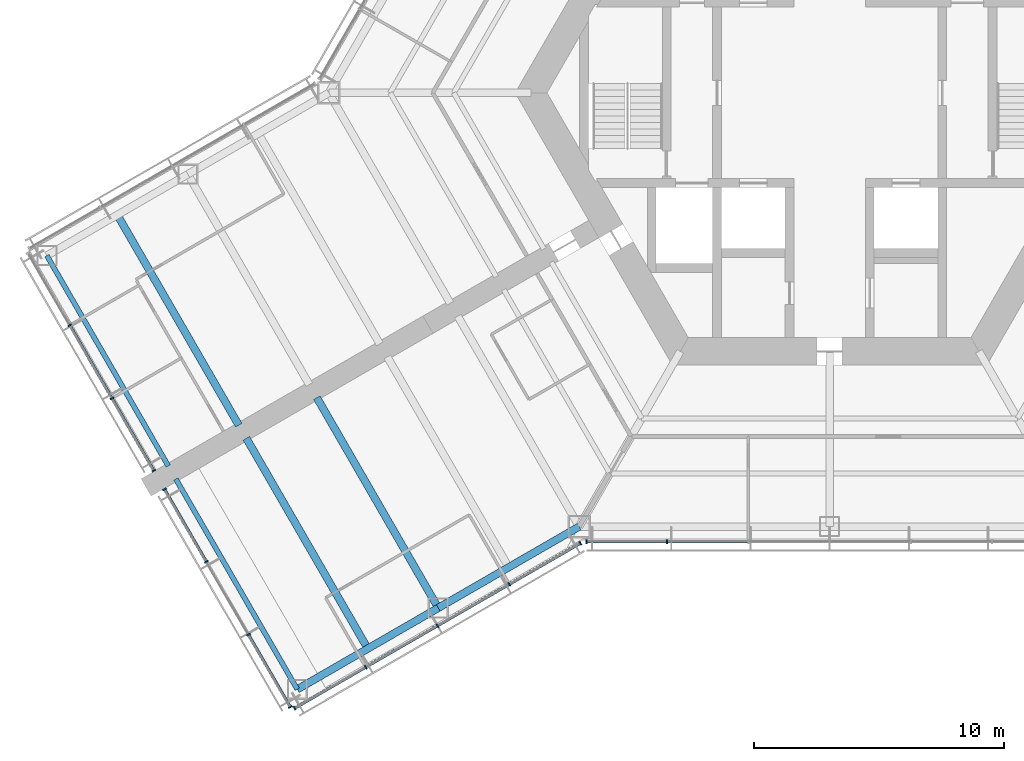
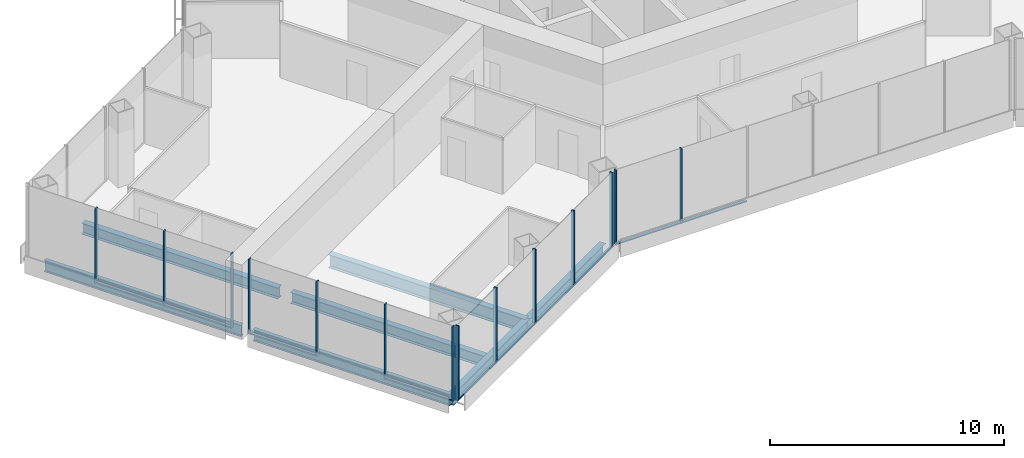
# One storey, part 2 of 19: 24 members, 7 beams, 4 elements without a shape of their own.
"""IFC4 building model written with IfcOpenShell, lengths in metres."""

import ifcopenshell
import ifcopenshell.guid

model = None  # the IFC model being written
_history = None  # IfcOwnerHistory: only IFC2X3 demands one
_inside = {}  # id of a spatial element -> (the spatial element, [elements in it])
_under = {}  # id of a project, library or spatial element -> (it, [spatial elements below it])
_declared = {}  # id of a project -> (the project, [libraries it declares])
_typed = {}  # id of a type object -> (the type object, [elements of that type])
_made_of = {}  # id of a material, layer set ... -> (it, [elements and type objects made of it])


def new_model(schema):
    """Start an empty IFC model of exactly this schema.

    Asked for "IFC4X3", IfcOpenShell would pick the latest addendum, in which some entities
    have other attributes; the version numbers below select the first issue.
    IFC2X3 requires an IfcOwnerHistory on every rooted entity: one is made here for all.
    """
    global model, _history
    if schema == "IFC4X3":
        model = ifcopenshell.file(schema_version=(4, 3, 0, 0))
    else:
        model = ifcopenshell.file(schema=schema)
    _inside.clear()
    _under.clear()
    _declared.clear()
    _typed.clear()
    _made_of.clear()
    _history = None
    if model.schema == "IFC2X3":
        org = make("IfcOrganization", Name="unknown")
        user = make(
            "IfcPersonAndOrganization",
            ThePerson=make("IfcPerson", FamilyName="unknown"),
            TheOrganization=org,
        )
        app = make(
            "IfcApplication",
            ApplicationDeveloper=org,
            Version="unknown",
            ApplicationFullName="unknown",
            ApplicationIdentifier="unknown",
        )
        _history = make(
            "IfcOwnerHistory",
            OwningUser=user,
            OwningApplication=app,
            ChangeAction="ADDED",
            CreationDate=0,
        )
    return model


def make(cls, **values):
    """One entity of the class cls with the attributes given. An attribute that is None is left unset."""
    return model.create_entity(
        cls, **{name: value for name, value in values.items() if value is not None}
    )


def rooted(cls, **values):
    """An entity with a GlobalId (a new one), such as an element, a storey or a relation."""
    return make(cls, GlobalId=ifcopenshell.guid.new(), OwnerHistory=_history, **values)


def si_unit(unit_type, name, prefix=None):
    """IfcSIUnit, for example si_unit("LENGTHUNIT", "METRE", prefix="MILLI")."""
    return make("IfcSIUnit", UnitType=unit_type, Prefix=prefix, Name=name)


def assignment(units):
    """IfcUnitAssignment: the units of a project."""
    return None if units is None else make("IfcUnitAssignment", Units=units)


def point(xyz):
    """IfcCartesianPoint."""
    return None if xyz is None else make("IfcCartesianPoint", Coordinates=xyz)


def direction(xyz):
    """IfcDirection."""
    return None if xyz is None else make("IfcDirection", DirectionRatios=xyz)


def frame(location, z_axis=None, x_axis=None):
    """IfcAxis2Placement3D, a coordinate frame: its origin and axes. An axis left out is left unset."""
    return make(
        "IfcAxis2Placement3D",
        Location=point(location),
        Axis=direction(z_axis),
        RefDirection=direction(x_axis),
    )


def frame_2d(location, x_axis=None):
    """IfcAxis2Placement2D, a coordinate frame in the plane: its origin and x axis."""
    return make(
        "IfcAxis2Placement2D", Location=point(location), RefDirection=direction(x_axis)
    )


def origin():
    """The frame at (0, 0, 0) with its axes left unset."""
    return frame((0.0, 0.0, 0.0))


def origin_2d():
    """The frame at (0, 0) in the plane with its x axis left unset."""
    return frame_2d((0.0, 0.0))


def place(relative_to, where):
    """IfcLocalPlacement: puts the frame where relative to a parent placement (None: the world)."""
    return make(
        "IfcLocalPlacement", PlacementRelTo=relative_to, RelativePlacement=where
    )


def context(
    kind, dimensions, precision=None, world=None, true_north=None, identifier=None
):
    """IfcGeometricRepresentationContext, for example the 3D "Model" context."""
    return make(
        "IfcGeometricRepresentationContext",
        ContextIdentifier=identifier,
        ContextType=kind,
        CoordinateSpaceDimension=dimensions,
        Precision=precision,
        WorldCoordinateSystem=world,
        TrueNorth=true_north,
    )


def subcontext(parent, identifier, kind, view, scale=None):
    """IfcGeometricRepresentationSubContext, for example "Body" below "Model"."""
    return make(
        "IfcGeometricRepresentationSubContext",
        ContextIdentifier=identifier,
        ContextType=kind,
        ParentContext=parent,
        TargetScale=scale,
        TargetView=view,
    )


def project(units=None, contexts=None):
    """IfcProject with its units and contexts."""
    return rooted(
        "IfcProject",
        Name="project",
        RepresentationContexts=contexts,
        UnitsInContext=assignment(units),
    )


def spatial(cls, under=None, at=None, **own):
    """A site, building, storey or space (cls), placed at a placement, below another one or the project."""
    s = rooted(cls, ObjectPlacement=at, **own)
    if under is not None:
        _under.setdefault(under.id(), (under, []))[1].append(s)
    return s


def profile(cls, at=None, kind="AREA", **sizes):
    """A parametric profile (cls). Its sizes go by their IFC names, for example OverallWidth=200.0."""
    return make(cls, ProfileType=kind, Position=at, **sizes)


def rectangle(**sizes):
    """IfcRectangleProfileDef."""
    return profile("IfcRectangleProfileDef", **sizes)


def i_section(**sizes):
    """IfcIShapeProfileDef."""
    return profile("IfcIShapeProfileDef", **sizes)


def extrude(swept, where, along, depth):
    """IfcExtrudedAreaSolid: the profile swept, set in the frame where, extruded along a direction by depth."""
    return make(
        "IfcExtrudedAreaSolid",
        SweptArea=swept,
        Position=where,
        ExtrudedDirection=direction(along),
        Depth=depth,
    )


def shape(context_of_items, identifier, shape_type, items):
    """IfcShapeRepresentation: the items that make up one representation, for example the "Body"."""
    return make(
        "IfcShapeRepresentation",
        ContextOfItems=context_of_items,
        RepresentationIdentifier=identifier,
        RepresentationType=shape_type,
        Items=items,
    )


def material(Name=None, Category=None):
    """IfcMaterial."""
    return make("IfcMaterial", Name=Name, Category=Category)


def material_profile(
    of_material, cross_section, Name=None, Category=None, Priority=None
):
    """IfcMaterialProfile: a cross section and its material."""
    return make(
        "IfcMaterialProfile",
        Name=Name,
        Material=of_material,
        Profile=cross_section,
        Priority=Priority,
        Category=Category,
    )


def profile_set(profiles, Name=None, composite=None):
    """IfcMaterialProfileSet."""
    return make(
        "IfcMaterialProfileSet",
        Name=Name,
        MaterialProfiles=profiles,
        CompositeProfile=composite,
    )


def made_of(thing, what):
    """Note that an element or type object is made of a material, layer set ...; save() writes the relation."""
    if what is not None:
        _made_of.setdefault(what.id(), (what, []))[1].append(thing)
    return thing


def type_object(cls, material=None, **own):
    """A type object (cls), such as IfcWallType, which elements share."""
    return made_of(rooted(cls, **own), material)


def element(
    cls,
    number,
    at=None,
    inside=None,
    cuts=None,
    type_object=None,
    material=None,
    context=None,
    identifier="Body",
    shape_type=None,
    held_by="IfcProductDefinitionShape",
    body=None,
    shapes=None,
    **own,
):
    """One element of the class cls, such as IfcWall. Its Tag is "e" and its number.

    at: its placement. inside: the storey or other place that contains it. cuts: it is an
    opening in that element (IfcRelVoidsElement). A single representation is given by context,
    identifier, shape_type and body (its items); several are given by shapes. held_by: the class
    of the entity that holds the representations. save() writes the other relations.
    """
    e = rooted(cls, Tag="e%d" % number, ObjectPlacement=at, **own)
    if body is not None:
        shapes = [shape(context, identifier, shape_type, body)]
    if shapes is not None:
        e.Representation = make(held_by, Representations=shapes)
    if inside is not None:
        _inside.setdefault(inside.id(), (inside, []))[1].append(e)
    if cuts is not None:
        rooted(
            "IfcRelVoidsElement", RelatingBuildingElement=cuts, RelatedOpeningElement=e
        )
    if type_object is not None:
        _typed.setdefault(type_object.id(), (type_object, []))[1].append(e)
    return made_of(e, material)


def aggregate(whole, parts):
    """IfcRelAggregates: a whole, such as a stair, and the parts it consists of."""
    return rooted("IfcRelAggregates", RelatingObject=whole, RelatedObjects=parts)


def save(model, path):
    """Write the relations noted so far, then the file.

    IfcRelAggregates (storeys below a building ...), IfcRelContainedInSpatialStructure (elements
    in a storey), IfcRelDefinesByType, IfcRelAssociatesMaterial and IfcRelDeclares: one each for
    every whole, place, type object, material and project.
    """
    for whole, parts in _under.values():
        aggregate(whole, parts)
    for where, things in _inside.values():
        rooted(
            "IfcRelContainedInSpatialStructure",
            RelatedElements=things,
            RelatingStructure=where,
        )
    for kind, things in _typed.values():
        rooted("IfcRelDefinesByType", RelatedObjects=things, RelatingType=kind)
    for what, things in _made_of.values():
        rooted("IfcRelAssociatesMaterial", RelatedObjects=things, RelatingMaterial=what)
    for by, libraries in _declared.values():
        rooted("IfcRelDeclares", RelatingContext=by, RelatedDefinitions=libraries)
    model.write(path)


model = new_model("IFC4")

# Units and contexts
model_context = context("Model", 3, precision=1e-05, world=origin(), true_north=direction((0.0, 1.0)))
body_context = subcontext(model_context, "Body", "Model", "MODEL_VIEW")
ifc_project = project(units=[si_unit("LENGTHUNIT", "METRE"), si_unit("AREAUNIT", "SQUARE_METRE"), si_unit("VOLUMEUNIT", "CUBIC_METRE"), si_unit("PLANEANGLEUNIT", "RADIAN"), si_unit("MASSUNIT", "GRAM", prefix="KILO")], contexts=[model_context])

# Site, building, storey
site_placement = place(None, origin())
site = spatial("IfcSite", under=ifc_project, at=site_placement, CompositionType="ELEMENT")
building_placement = place(site_placement, origin())
building = spatial("IfcBuilding", under=site, at=building_placement, Name="Kasaneha Research Tower", CompositionType="ELEMENT")
storey_placement = place(building_placement, frame((0.0, 0.0, 96.300048828125)))
storey = spatial("IfcBuildingStorey", under=building, at=storey_placement, Name="L24", CompositionType="ELEMENT", Elevation=96.300048828125)

# Beams
ifc_material_1 = material(Name="Steel SN490B", Category="steel")
ifc_material_profile_1 = material_profile(ifc_material_1, i_section(OverallWidth=0.300048828125, OverallDepth=0.58203125, WebThickness=0.011962890625, FlangeThickness=0.01708984375, FilletRadius=0.012939453125, at=origin_2d()), Name="H-582x300x12x17")
ifc_profile_set_1 = profile_set([ifc_material_profile_1], Name="Steel SN490B")
beam_type_1 = type_object("IfcBeamType", Name="B2-3 secondary beam H-582x300x12x17", PredefinedType="JOIST", material=ifc_profile_set_1)
for number, where, z_axis, x_axis, name in (
    (1, (-28.44384765625, -4.875, -0.441162109375), (0.500010041276, -0.866019606374, 0.0), (0.866019606374, 0.500010041276, 0.0), "Secondary beam WBBP2 L24"),
    (2, (-18.44384765625, -22.195556640625, -0.441162109375), (-0.499991164321, 0.866030505006, 0.0), (-0.866030505006, -0.499991164321, 0.0), "Secondary beam WBBN2 L24"),
):
    element("IfcBeam", number, at=place(storey_placement, frame(where, z_axis=z_axis, x_axis=x_axis)), inside=storey, type_object=beam_type_1, Name=name, PredefinedType="JOIST", context=body_context, shape_type="SweptSolid", body=[
        extrude(i_section(OverallWidth=0.300048828125, OverallDepth=0.58203125, WebThickness=0.011962890625, FlangeThickness=0.01708984375, FilletRadius=0.012939453125, at=origin_2d()), origin(), (0.0, 0.0, 1.0), 9.699951171875),
    ])

# Curtain wall, members
ifc_material_2 = material(Name="Glass and aluminium", Category="aluminium")
curtain_wall_type = type_object("IfcCurtainWallType", Name="Low-rise office curtain wall", PredefinedType="USERDEFINED", material=ifc_material_2)
curtain_wall_1_placement = place(storey_placement, origin())
curtain_wall_1 = element("IfcCurtainWall", 3, at=curtain_wall_1_placement, inside=storey, type_object=curtain_wall_type, Name="CW-O1 L24 run 01a", ObjectType="UNITISED CURTAIN WALL", PredefinedType="USERDEFINED")
ifc_material_3 = material(Name="Aluminium 6063-T6", Category="aluminium")
ifc_material_profile_2 = material_profile(ifc_material_3, rectangle(XDim=0.06005859375, YDim=0.159912109375, at=origin_2d()), Name="CW-O1 mullion 60x160")
ifc_profile_set_2 = profile_set([ifc_material_profile_2], Name="Aluminium 6063-T6")
member_type_1 = type_object("IfcMemberType", Name="CW-O1 mullion", PredefinedType="MULLION", material=ifc_profile_set_2)
member_1_placement = place(storey_placement, frame((-21.365478515625, -24.5751953125, 0.0), z_axis=(0.0, 0.0, 1.0), x_axis=(0.866025411464, 0.499999986699, 0.0)))
member_1 = element("IfcMember", 4, at=member_1_placement, type_object=member_type_1, Name="CW-O1 mullion 1", PredefinedType="MULLION", context=body_context, shape_type="SweptSolid", body=[
    extrude(rectangle(XDim=0.06005859375, YDim=0.159912109375, at=origin_2d()), origin(), (0.0, 0.0, 1.0), 3.89990234375),
])
member_2_placement = place(storey_placement, frame((-18.52490234375, -22.935302734375, 0.0), z_axis=(0.0, 0.0, 1.0), x_axis=(0.866025411464, 0.499999986699, 0.0)))
member_2 = element("IfcMember", 5, at=member_2_placement, type_object=member_type_1, Name="CW-O1 mullion 2", PredefinedType="MULLION", context=body_context, shape_type="SweptSolid", body=[
    extrude(rectangle(XDim=0.06005859375, YDim=0.159912109375, at=origin_2d()), origin(), (0.0, 0.0, 1.0), 3.89990234375),
])
member_3_placement = place(storey_placement, frame((-15.65869140625, -21.2802734375, 0.0), z_axis=(0.0, 0.0, 1.0), x_axis=(0.866025411464, 0.499999986699, 0.0)))
member_3 = element("IfcMember", 6, at=member_3_placement, type_object=member_type_1, Name="CW-O1 mullion 3", PredefinedType="MULLION", context=body_context, shape_type="SweptSolid", body=[
    extrude(rectangle(XDim=0.06005859375, YDim=0.159912109375, at=origin_2d()), origin(), (0.0, 0.0, 1.0), 3.89990234375),
])
member_4_placement = place(storey_placement, frame((-12.792236328125, -19.62548828125, 0.0), z_axis=(0.0, 0.0, 1.0), x_axis=(0.866025411464, 0.499999986699, 0.0)))
member_4 = element("IfcMember", 7, at=member_4_placement, type_object=member_type_1, Name="CW-O1 mullion 4", PredefinedType="MULLION", context=body_context, shape_type="SweptSolid", body=[
    extrude(rectangle(XDim=0.06005859375, YDim=0.159912109375, at=origin_2d()), origin(), (0.0, 0.0, 1.0), 3.89990234375),
])
member_5_placement = place(storey_placement, frame((-9.951904296875, -17.985595703125, 0.0), z_axis=(0.0, 0.0, 1.0), x_axis=(0.866025411464, 0.499999986699, 0.0)))
member_5 = element("IfcMember", 8, at=member_5_placement, type_object=member_type_1, Name="CW-O1 mullion 5", PredefinedType="MULLION", context=body_context, shape_type="SweptSolid", body=[
    extrude(rectangle(XDim=0.06005859375, YDim=0.159912109375, at=origin_2d()), origin(), (0.0, 0.0, 1.0), 3.89990234375),
])

curtain_wall_2_placement = place(storey_placement, origin())
curtain_wall_2 = element("IfcCurtainWall", 9, at=curtain_wall_2_placement, inside=storey, type_object=curtain_wall_type, Name="CW-O1 L24 run 02a", ObjectType="UNITISED CURTAIN WALL", PredefinedType="USERDEFINED")
member_6_placement = place(storey_placement, frame((-9.709228515625, -17.92041015625, 0.0), z_axis=(0.0, 0.0, 1.0), x_axis=(1.0, 0.0, 0.0)))
member_6 = element("IfcMember", 10, at=member_6_placement, type_object=member_type_1, Name="CW-O1 mullion 1", PredefinedType="MULLION", context=body_context, shape_type="SweptSolid", body=[
    extrude(rectangle(XDim=0.06005859375, YDim=0.159912109375, at=origin_2d()), origin(), (0.0, 0.0, 1.0), 3.89990234375),
])
member_7_placement = place(storey_placement, frame((-6.492919921875, -17.92041015625, 0.0), z_axis=(0.0, 0.0, 1.0), x_axis=(1.0, 0.0, 0.0)))
member_7 = element("IfcMember", 11, at=member_7_placement, type_object=member_type_1, Name="CW-O1 mullion 2", PredefinedType="MULLION", context=body_context, shape_type="SweptSolid", body=[
    extrude(rectangle(XDim=0.06005859375, YDim=0.159912109375, at=origin_2d()), origin(), (0.0, 0.0, 1.0), 3.89990234375),
])

curtain_wall_3_placement = place(storey_placement, origin())
curtain_wall_3 = element("IfcCurtainWall", 12, at=curtain_wall_3_placement, inside=storey, type_object=curtain_wall_type, Name="CW-O1 L24 run 14a", ObjectType="UNITISED CURTAIN WALL", PredefinedType="USERDEFINED")
member_8_placement = place(storey_placement, frame((-30.3447265625, -9.28271484375, 0.0), z_axis=(0.0, 0.0, 1.0), x_axis=(0.500000011442, -0.866025397178, 0.0)))
member_8 = element("IfcMember", 13, at=member_8_placement, type_object=member_type_1, Name="CW-O1 mullion 2", PredefinedType="MULLION", context=body_context, shape_type="SweptSolid", body=[
    extrude(rectangle(XDim=0.06005859375, YDim=0.159912109375, at=origin_2d()), origin(), (0.0, 0.0, 1.0), 3.89990234375),
])
member_9_placement = place(storey_placement, frame((-28.661376953125, -12.1982421875, 0.0), z_axis=(0.0, 0.0, 1.0), x_axis=(0.500000011442, -0.866025397178, 0.0)))
member_9 = element("IfcMember", 14, at=member_9_placement, type_object=member_type_1, Name="CW-O1 mullion 3", PredefinedType="MULLION", context=body_context, shape_type="SweptSolid", body=[
    extrude(rectangle(XDim=0.06005859375, YDim=0.159912109375, at=origin_2d()), origin(), (0.0, 0.0, 1.0), 3.89990234375),
])
member_10_placement = place(storey_placement, frame((-26.992919921875, -15.087890625, 0.0), z_axis=(0.0, 0.0, 1.0), x_axis=(0.500000011442, -0.866025397178, 0.0)))
member_10 = element("IfcMember", 15, at=member_10_placement, type_object=member_type_1, Name="CW-O1 mullion 4", PredefinedType="MULLION", context=body_context, shape_type="SweptSolid", body=[
    extrude(rectangle(XDim=0.06005859375, YDim=0.159912109375, at=origin_2d()), origin(), (0.0, 0.0, 1.0), 3.89990234375),
])

curtain_wall_4_placement = place(storey_placement, origin())
curtain_wall_4 = element("IfcCurtainWall", 16, at=curtain_wall_4_placement, inside=storey, type_object=curtain_wall_type, Name="CW-O1 L24 run 15a", ObjectType="UNITISED CURTAIN WALL", PredefinedType="USERDEFINED")
member_11_placement = place(storey_placement, frame((-26.56298828125, -15.832763671875, 0.0), z_axis=(0.0, 0.0, 1.0), x_axis=(0.500000011442, -0.866025397178, 0.0)))
member_11 = element("IfcMember", 17, at=member_11_placement, type_object=member_type_1, Name="CW-O1 mullion 1", PredefinedType="MULLION", context=body_context, shape_type="SweptSolid", body=[
    extrude(rectangle(XDim=0.06005859375, YDim=0.159912109375, at=origin_2d()), origin(), (0.0, 0.0, 1.0), 3.89990234375),
])
member_12_placement = place(storey_placement, frame((-24.89453125, -18.72216796875, 0.0), z_axis=(0.0, 0.0, 1.0), x_axis=(0.500000011442, -0.866025397178, 0.0)))
member_12 = element("IfcMember", 18, at=member_12_placement, type_object=member_type_1, Name="CW-O1 mullion 2", PredefinedType="MULLION", context=body_context, shape_type="SweptSolid", body=[
    extrude(rectangle(XDim=0.06005859375, YDim=0.159912109375, at=origin_2d()), origin(), (0.0, 0.0, 1.0), 3.89990234375),
])
member_13_placement = place(storey_placement, frame((-23.211181640625, -21.637939453125, 0.0), z_axis=(0.0, 0.0, 1.0), x_axis=(0.500000011442, -0.866025397178, 0.0)))
member_13 = element("IfcMember", 19, at=member_13_placement, type_object=member_type_1, Name="CW-O1 mullion 3", PredefinedType="MULLION", context=body_context, shape_type="SweptSolid", body=[
    extrude(rectangle(XDim=0.06005859375, YDim=0.159912109375, at=origin_2d()), origin(), (0.0, 0.0, 1.0), 3.89990234375),
])
member_14_placement = place(storey_placement, frame((-21.54296875, -24.527587890625, 0.0), z_axis=(0.0, 0.0, 1.0), x_axis=(0.500000011442, -0.866025397178, 0.0)))
member_14 = element("IfcMember", 20, at=member_14_placement, type_object=member_type_1, Name="CW-O1 mullion 4", PredefinedType="MULLION", context=body_context, shape_type="SweptSolid", body=[
    extrude(rectangle(XDim=0.06005859375, YDim=0.159912109375, at=origin_2d()), origin(), (0.0, 0.0, 1.0), 3.89990234375),
])

# Member
ifc_material_4 = material(Name="Aluminium 6063-T6", Category="aluminium")
ifc_material_profile_3 = material_profile(ifc_material_4, rectangle(XDim=0.1201171875, YDim=0.06005859375, at=origin_2d()), Name="CW-O1 transom 120x60")
ifc_profile_set_3 = profile_set([ifc_material_profile_3], Name="Aluminium 6063-T6")
member_type_2 = type_object("IfcMemberType", Name="CW-O1 transom", PredefinedType="USERDEFINED", material=ifc_profile_set_3)
member_15_placement = place(storey_placement, frame((-21.33935546875, -24.56005859375, 0.030029296875), z_axis=(0.866022692473, 0.500004696101, 0.0), x_axis=(-0.500004696101, 0.866022692473, 0.0)))
member_15 = element("IfcMember", 21, at=member_15_placement, type_object=member_type_2, Name="CW-O1 transom 1", ObjectType="TRANSOM", PredefinedType="USERDEFINED", context=body_context, shape_type="SweptSolid", body=[
    extrude(rectangle(XDim=0.1201171875, YDim=0.06005859375, at=origin_2d()), origin(), (0.0, 0.0, 1.0), 3.2197265625),
])

member_16_placement = place(storey_placement, frame((-18.4990234375, -22.920166015625, 0.030029296875), z_axis=(0.86604797581, 0.499960902066, 0.0), x_axis=(-0.499960902066, 0.86604797581, 0.0)))
member_16 = element("IfcMember", 22, at=member_16_placement, type_object=member_type_2, Name="CW-O1 transom 2", ObjectType="TRANSOM", PredefinedType="USERDEFINED", context=body_context, shape_type="SweptSolid", body=[
    extrude(rectangle(XDim=0.1201171875, YDim=0.06005859375, at=origin_2d()), origin(), (0.0, 0.0, 1.0), 3.249755859375),
])

member_17_placement = place(storey_placement, frame((-15.632568359375, -21.265380859375, 0.030029296875), z_axis=(0.866015446554, 0.500017246033, 0.0), x_axis=(-0.500017246033, 0.866015446554, 0.0)))
member_17 = element("IfcMember", 23, at=member_17_placement, type_object=member_type_2, Name="CW-O1 transom 3", ObjectType="TRANSOM", PredefinedType="USERDEFINED", context=body_context, shape_type="SweptSolid", body=[
    extrude(rectangle(XDim=0.1201171875, YDim=0.06005859375, at=origin_2d()), origin(), (0.0, 0.0, 1.0), 3.25),
])

member_18_placement = place(storey_placement, frame((-12.76611328125, -19.6103515625, 0.030029296875), z_axis=(0.866022692473, 0.500004696101, 0.0), x_axis=(-0.500004696101, 0.866022692473, 0.0)))
member_18 = element("IfcMember", 24, at=member_18_placement, type_object=member_type_2, Name="CW-O1 transom 4", ObjectType="TRANSOM", PredefinedType="USERDEFINED", context=body_context, shape_type="SweptSolid", body=[
    extrude(rectangle(XDim=0.1201171875, YDim=0.06005859375, at=origin_2d()), origin(), (0.0, 0.0, 1.0), 3.2197265625),
])

aggregate(curtain_wall_1, [member_1, member_2, member_3, member_4, member_5, member_15, member_16, member_17, member_18])

member_19_placement = place(storey_placement, frame((-9.67919921875, -17.92041015625, 0.030029296875), z_axis=(1.0, 0.0, 0.0), x_axis=(0.0, 1.0, 0.0)))
member_19 = element("IfcMember", 25, at=member_19_placement, type_object=member_type_2, Name="CW-O1 transom 1", ObjectType="TRANSOM", PredefinedType="USERDEFINED", context=body_context, shape_type="SweptSolid", body=[
    extrude(rectangle(XDim=0.1201171875, YDim=0.06005859375, at=origin_2d()), origin(), (0.0, 0.0, 1.0), 3.156494140625),
])

member_20_placement = place(storey_placement, frame((-6.462890625, -17.92041015625, 0.030029296875), z_axis=(1.0, 0.0, 0.0), x_axis=(0.0, 1.0, 0.0)))
member_20 = element("IfcMember", 26, at=member_20_placement, type_object=member_type_2, Name="CW-O1 transom 2", ObjectType="TRANSOM", PredefinedType="USERDEFINED", context=body_context, shape_type="SweptSolid", body=[
    extrude(rectangle(XDim=0.1201171875, YDim=0.06005859375, at=origin_2d()), origin(), (0.0, 0.0, 1.0), 3.1865234375),
])

aggregate(curtain_wall_2, [member_6, member_7, member_19, member_20])

member_21_placement = place(storey_placement, frame((-30.32958984375, -9.30859375, 0.030029296875), z_axis=(0.499982354831, -0.866035590988, 0.0), x_axis=(0.866035590988, 0.499982354831, 0.0)))
member_21 = element("IfcMember", 27, at=member_21_placement, type_object=member_type_2, Name="CW-O1 transom 2", ObjectType="TRANSOM", PredefinedType="USERDEFINED", context=body_context, shape_type="SweptSolid", body=[
    extrude(rectangle(XDim=0.1201171875, YDim=0.06005859375, at=origin_2d()), origin(), (0.0, 0.0, 1.0), 3.306640625),
])

member_22_placement = place(storey_placement, frame((-28.646240234375, -12.22412109375, 0.030029296875), z_axis=(0.499969700927, -0.866042896256, 0.0), x_axis=(0.866042896256, 0.499969700927, 0.0)))
member_22 = element("IfcMember", 28, at=member_22_placement, type_object=member_type_2, Name="CW-O1 transom 3", ObjectType="TRANSOM", PredefinedType="USERDEFINED", context=body_context, shape_type="SweptSolid", body=[
    extrude(rectangle(XDim=0.1201171875, YDim=0.06005859375, at=origin_2d()), origin(), (0.0, 0.0, 1.0), 3.276611328125),
])

aggregate(curtain_wall_3, [member_8, member_9, member_10, member_21, member_22])

member_23_placement = place(storey_placement, frame((-26.5478515625, -15.858642578125, 0.030029296875), z_axis=(0.499969700927, -0.866042896256, 0.0), x_axis=(0.866042896256, 0.499969700927, 0.0)))
member_23 = element("IfcMember", 29, at=member_23_placement, type_object=member_type_2, Name="CW-O1 transom 1", ObjectType="TRANSOM", PredefinedType="USERDEFINED", context=body_context, shape_type="SweptSolid", body=[
    extrude(rectangle(XDim=0.1201171875, YDim=0.06005859375, at=origin_2d()), origin(), (0.0, 0.0, 1.0), 3.276611328125),
])

member_24_placement = place(storey_placement, frame((-23.1962890625, -21.663818359375, 0.030029296875), z_axis=(0.500025583411, -0.866010632691, 0.0), x_axis=(0.866010632691, 0.500025583411, 0.0)))
member_24 = element("IfcMember", 30, at=member_24_placement, type_object=member_type_2, Name="CW-O1 transom 3", ObjectType="TRANSOM", PredefinedType="USERDEFINED", context=body_context, shape_type="SweptSolid", body=[
    extrude(rectangle(XDim=0.1201171875, YDim=0.06005859375, at=origin_2d()), origin(), (0.0, 0.0, 1.0), 3.276611328125),
])

aggregate(curtain_wall_4, [member_11, member_12, member_13, member_14, member_23, member_24])

# Beams
ifc_material_5 = material(Name="Steel SN490B", Category="steel")
ifc_material_profile_4 = material_profile(ifc_material_5, i_section(OverallWidth=0.300048828125, OverallDepth=0.699951171875, WebThickness=0.012939453125, FlangeThickness=0.02392578125, FilletRadius=0.01806640625, at=origin_2d()), Name="H-700x300x13x24")
ifc_profile_set_4 = profile_set([ifc_material_profile_4], Name="Steel SN490B")
beam_type_2 = type_object("IfcBeamType", Name="G4-3 wing girder H-700x300x13x24", PredefinedType="BEAM", material=ifc_profile_set_4)
beam_placement = place(storey_placement, frame((-15.629150390625, -20.570556640625, -0.5), z_axis=(-0.500010041276, 0.866019606374, 0.0), x_axis=(-0.866019606374, -0.500010041276, 0.0)))
element("IfcBeam", 31, at=beam_placement, inside=storey, type_object=beam_type_2, Name="Wing girder WGBN L24", PredefinedType="BEAM", context=body_context, shape_type="SweptSolid", body=[
    extrude(i_section(OverallWidth=0.300048828125, OverallDepth=0.699951171875, WebThickness=0.012939453125, FlangeThickness=0.02392578125, FilletRadius=0.01806640625, at=origin_2d()), origin(), (0.0, 0.0, 1.0), 9.699951171875),
])
ifc_material_6 = material(Name="Steel SN490B", Category="steel")
ifc_material_profile_5 = material_profile(ifc_material_6, i_section(OverallWidth=0.300048828125, OverallDepth=0.58203125, WebThickness=0.011962890625, FlangeThickness=0.01708984375, FilletRadius=0.012939453125, at=origin_2d()), Name="H-582x300x12x17")
ifc_profile_set_5 = profile_set([ifc_material_profile_5], Name="Steel SN490B")
beam_type_3 = type_object("IfcBeamType", Name="SB2-3 spandrel beam H-582x300x12x17", PredefinedType="SPANDREL", material=ifc_profile_set_5)
for number, where, z_axis, x_axis, name in (
    (32, (-10.0, -17.320556640625, -0.441162109375), (-0.866024837091, -0.50000098154, 0.0), (0.50000098154, -0.866024837091, 0.0), "Spandrel beam WSBN1 L24"),
    (33, (-15.629150390625, -20.570556640625, -0.441162109375), (-0.866024837091, -0.50000098154, 0.0), (0.50000098154, -0.866024837091, 0.0), "Spandrel beam WSBN2 L24"),
):
    element("IfcBeam", number, at=place(storey_placement, frame(where, z_axis=z_axis, x_axis=x_axis)), inside=storey, type_object=beam_type_3, Name=name, PredefinedType="SPANDREL", context=body_context, shape_type="SweptSolid", body=[
        extrude(i_section(OverallWidth=0.300048828125, OverallDepth=0.58203125, WebThickness=0.011962890625, FlangeThickness=0.01708984375, FilletRadius=0.012939453125, at=origin_2d()), origin(), (0.0, 0.0, 1.0), 6.5),
    ])
ifc_material_7 = material(Name="Steel SN490B", Category="steel")
ifc_material_profile_6 = material_profile(ifc_material_7, i_section(OverallWidth=0.199951171875, OverallDepth=0.60009765625, WebThickness=0.010986328125, FlangeThickness=0.01708984375, FilletRadius=0.012939453125, at=origin_2d()), Name="H-600x200x11x17")
ifc_profile_set_6 = profile_set([ifc_material_profile_6], Name="Steel SN490B")
beam_type_4 = type_object("IfcBeamType", Name="SB3-3 spandrel beam H-600x200x11x17", PredefinedType="SPANDREL", material=ifc_profile_set_6)
for number, where, z_axis, x_axis, name in (
    (34, (-31.25830078125, -6.5, -0.449951171875), (0.499991164321, -0.866030505006, 0.0), (0.866030505006, 0.499991164321, 0.0), "Spandrel beam WTBP L24"),
    (35, (-21.25830078125, -23.820556640625, -0.449951171875), (-0.500010041276, 0.866019606374, 0.0), (-0.866019606374, -0.500010041276, 0.0), "Spandrel beam WTBN L24"),
):
    element("IfcBeam", number, at=place(storey_placement, frame(where, z_axis=z_axis, x_axis=x_axis)), inside=storey, type_object=beam_type_4, Name=name, PredefinedType="SPANDREL", context=body_context, shape_type="SweptSolid", body=[
        extrude(i_section(OverallWidth=0.199951171875, OverallDepth=0.60009765625, WebThickness=0.010986328125, FlangeThickness=0.01708984375, FilletRadius=0.012939453125, at=origin_2d()), origin(), (0.0, 0.0, 1.0), 9.699951171875),
    ])

save(model, "model.ifc")
